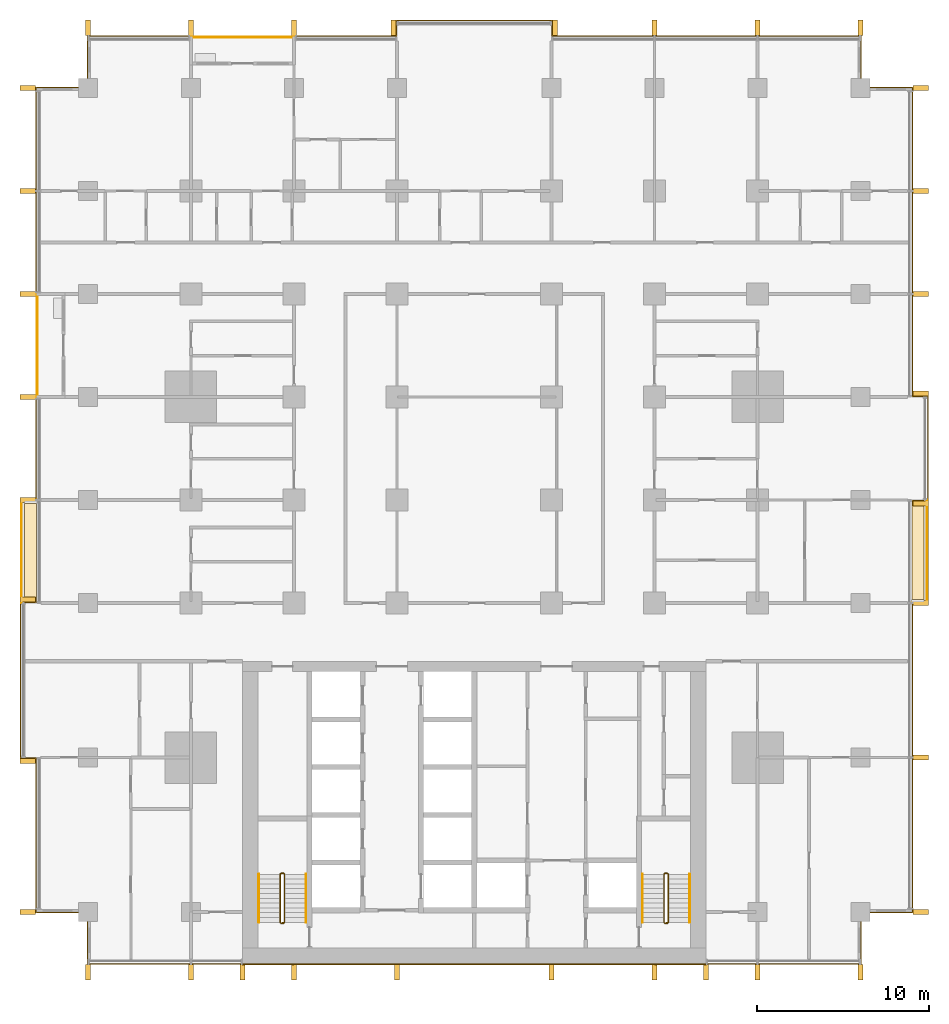
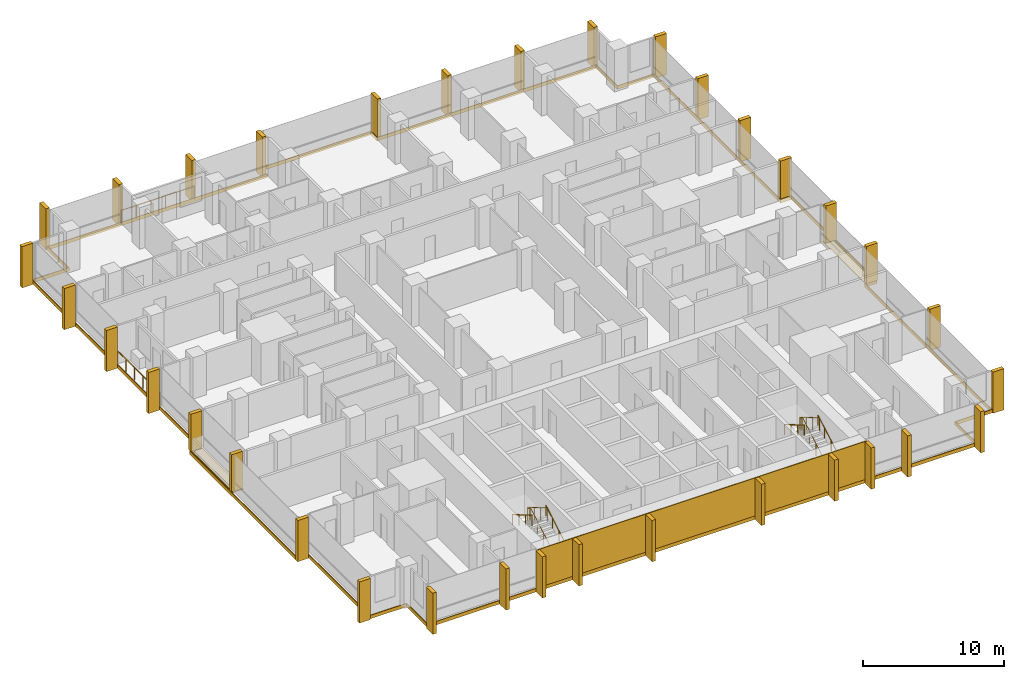
# One storey, part 17 of 17: 34 shading devices, 10 coverings, 8 railings.
"""IFC4 building model written with IfcOpenShell, lengths in metres."""

import ifcopenshell
import ifcopenshell.guid

model = None  # the IFC model being written
_history = None  # IfcOwnerHistory: only IFC2X3 demands one
_inside = {}  # id of a spatial element -> (the spatial element, [elements in it])
_under = {}  # id of a project, library or spatial element -> (it, [spatial elements below it])
_declared = {}  # id of a project -> (the project, [libraries it declares])
_typed = {}  # id of a type object -> (the type object, [elements of that type])
_made_of = {}  # id of a material, layer set ... -> (it, [elements and type objects made of it])


def new_model(schema):
    """Start an empty IFC model of exactly this schema.

    Asked for "IFC4X3", IfcOpenShell would pick the latest addendum, in which some entities
    have other attributes; the version numbers below select the first issue.
    IFC2X3 requires an IfcOwnerHistory on every rooted entity: one is made here for all.
    """
    global model, _history
    if schema == "IFC4X3":
        model = ifcopenshell.file(schema_version=(4, 3, 0, 0))
    else:
        model = ifcopenshell.file(schema=schema)
    _inside.clear()
    _under.clear()
    _declared.clear()
    _typed.clear()
    _made_of.clear()
    _history = None
    if model.schema == "IFC2X3":
        org = make("IfcOrganization", Name="unknown")
        user = make(
            "IfcPersonAndOrganization",
            ThePerson=make("IfcPerson", FamilyName="unknown"),
            TheOrganization=org,
        )
        app = make(
            "IfcApplication",
            ApplicationDeveloper=org,
            Version="unknown",
            ApplicationFullName="unknown",
            ApplicationIdentifier="unknown",
        )
        _history = make(
            "IfcOwnerHistory",
            OwningUser=user,
            OwningApplication=app,
            ChangeAction="ADDED",
            CreationDate=0,
        )
    return model


def make(cls, **values):
    """One entity of the class cls with the attributes given. An attribute that is None is left unset."""
    return model.create_entity(
        cls, **{name: value for name, value in values.items() if value is not None}
    )


def rooted(cls, **values):
    """An entity with a GlobalId (a new one), such as an element, a storey or a relation."""
    return make(cls, GlobalId=ifcopenshell.guid.new(), OwnerHistory=_history, **values)


def si_unit(unit_type, name, prefix=None):
    """IfcSIUnit, for example si_unit("LENGTHUNIT", "METRE", prefix="MILLI")."""
    return make("IfcSIUnit", UnitType=unit_type, Prefix=prefix, Name=name)


def assignment(units):
    """IfcUnitAssignment: the units of a project."""
    return None if units is None else make("IfcUnitAssignment", Units=units)


def point(xyz):
    """IfcCartesianPoint."""
    return None if xyz is None else make("IfcCartesianPoint", Coordinates=xyz)


def direction(xyz):
    """IfcDirection."""
    return None if xyz is None else make("IfcDirection", DirectionRatios=xyz)


def frame(location, z_axis=None, x_axis=None):
    """IfcAxis2Placement3D, a coordinate frame: its origin and axes. An axis left out is left unset."""
    return make(
        "IfcAxis2Placement3D",
        Location=point(location),
        Axis=direction(z_axis),
        RefDirection=direction(x_axis),
    )


def frame_2d(location, x_axis=None):
    """IfcAxis2Placement2D, a coordinate frame in the plane: its origin and x axis."""
    return make(
        "IfcAxis2Placement2D", Location=point(location), RefDirection=direction(x_axis)
    )


def origin():
    """The frame at (0, 0, 0) with its axes left unset."""
    return frame((0.0, 0.0, 0.0))


def origin_2d():
    """The frame at (0, 0) in the plane with its x axis left unset."""
    return frame_2d((0.0, 0.0))


def place(relative_to, where):
    """IfcLocalPlacement: puts the frame where relative to a parent placement (None: the world)."""
    return make(
        "IfcLocalPlacement", PlacementRelTo=relative_to, RelativePlacement=where
    )


def context(
    kind, dimensions, precision=None, world=None, true_north=None, identifier=None
):
    """IfcGeometricRepresentationContext, for example the 3D "Model" context."""
    return make(
        "IfcGeometricRepresentationContext",
        ContextIdentifier=identifier,
        ContextType=kind,
        CoordinateSpaceDimension=dimensions,
        Precision=precision,
        WorldCoordinateSystem=world,
        TrueNorth=true_north,
    )


def subcontext(parent, identifier, kind, view, scale=None):
    """IfcGeometricRepresentationSubContext, for example "Body" below "Model"."""
    return make(
        "IfcGeometricRepresentationSubContext",
        ContextIdentifier=identifier,
        ContextType=kind,
        ParentContext=parent,
        TargetScale=scale,
        TargetView=view,
    )


def project(units=None, contexts=None):
    """IfcProject with its units and contexts."""
    return rooted(
        "IfcProject",
        Name="project",
        RepresentationContexts=contexts,
        UnitsInContext=assignment(units),
    )


def spatial(cls, under=None, at=None, **own):
    """A site, building, storey or space (cls), placed at a placement, below another one or the project."""
    s = rooted(cls, ObjectPlacement=at, **own)
    if under is not None:
        _under.setdefault(under.id(), (under, []))[1].append(s)
    return s


def polyline(points):
    """IfcPolyline through the points."""
    return make("IfcPolyline", Points=[point(p) for p in points])


def profile(cls, at=None, kind="AREA", **sizes):
    """A parametric profile (cls). Its sizes go by their IFC names, for example OverallWidth=200.0."""
    return make(cls, ProfileType=kind, Position=at, **sizes)


def rectangle(**sizes):
    """IfcRectangleProfileDef."""
    return profile("IfcRectangleProfileDef", **sizes)


def circle(**sizes):
    """IfcCircleProfileDef."""
    return profile("IfcCircleProfileDef", **sizes)


def outline(outer, holes=None, kind="AREA"):
    """IfcArbitraryClosedProfileDef: a profile drawn as a closed curve; with holes, ...WithVoids."""
    if holes is None:
        return make("IfcArbitraryClosedProfileDef", ProfileType=kind, OuterCurve=outer)
    return make(
        "IfcArbitraryProfileDefWithVoids",
        ProfileType=kind,
        OuterCurve=outer,
        InnerCurves=holes,
    )


def extrude(swept, where, along, depth):
    """IfcExtrudedAreaSolid: the profile swept, set in the frame where, extruded along a direction by depth."""
    return make(
        "IfcExtrudedAreaSolid",
        SweptArea=swept,
        Position=where,
        ExtrudedDirection=direction(along),
        Depth=depth,
    )


def shape(context_of_items, identifier, shape_type, items):
    """IfcShapeRepresentation: the items that make up one representation, for example the "Body"."""
    return make(
        "IfcShapeRepresentation",
        ContextOfItems=context_of_items,
        RepresentationIdentifier=identifier,
        RepresentationType=shape_type,
        Items=items,
    )


def material(Name=None, Category=None):
    """IfcMaterial."""
    return make("IfcMaterial", Name=Name, Category=Category)


def layer(
    of_material, thickness, ventilated=None, Name=None, Category=None, Priority=None
):
    """IfcMaterialLayer: one layer of a wall or slab, of a material (None: an air gap)."""
    return make(
        "IfcMaterialLayer",
        Material=of_material,
        LayerThickness=thickness,
        IsVentilated=ventilated,
        Name=Name,
        Category=Category,
        Priority=Priority,
    )


def layer_set(layers, Name=None):
    """IfcMaterialLayerSet."""
    return make("IfcMaterialLayerSet", MaterialLayers=layers, LayerSetName=Name)


def made_of(thing, what):
    """Note that an element or type object is made of a material, layer set ...; save() writes the relation."""
    if what is not None:
        _made_of.setdefault(what.id(), (what, []))[1].append(thing)
    return thing


def type_object(cls, material=None, **own):
    """A type object (cls), such as IfcWallType, which elements share."""
    return made_of(rooted(cls, **own), material)


def element(
    cls,
    number,
    at=None,
    inside=None,
    cuts=None,
    type_object=None,
    material=None,
    context=None,
    identifier="Body",
    shape_type=None,
    held_by="IfcProductDefinitionShape",
    body=None,
    shapes=None,
    **own,
):
    """One element of the class cls, such as IfcWall. Its Tag is "e" and its number.

    at: its placement. inside: the storey or other place that contains it. cuts: it is an
    opening in that element (IfcRelVoidsElement). A single representation is given by context,
    identifier, shape_type and body (its items); several are given by shapes. held_by: the class
    of the entity that holds the representations. save() writes the other relations.
    """
    e = rooted(cls, Tag="e%d" % number, ObjectPlacement=at, **own)
    if body is not None:
        shapes = [shape(context, identifier, shape_type, body)]
    if shapes is not None:
        e.Representation = make(held_by, Representations=shapes)
    if inside is not None:
        _inside.setdefault(inside.id(), (inside, []))[1].append(e)
    if cuts is not None:
        rooted(
            "IfcRelVoidsElement", RelatingBuildingElement=cuts, RelatedOpeningElement=e
        )
    if type_object is not None:
        _typed.setdefault(type_object.id(), (type_object, []))[1].append(e)
    return made_of(e, material)


def aggregate(whole, parts):
    """IfcRelAggregates: a whole, such as a stair, and the parts it consists of."""
    return rooted("IfcRelAggregates", RelatingObject=whole, RelatedObjects=parts)


def save(model, path):
    """Write the relations noted so far, then the file.

    IfcRelAggregates (storeys below a building ...), IfcRelContainedInSpatialStructure (elements
    in a storey), IfcRelDefinesByType, IfcRelAssociatesMaterial and IfcRelDeclares: one each for
    every whole, place, type object, material and project.
    """
    for whole, parts in _under.values():
        aggregate(whole, parts)
    for where, things in _inside.values():
        rooted(
            "IfcRelContainedInSpatialStructure",
            RelatedElements=things,
            RelatingStructure=where,
        )
    for kind, things in _typed.values():
        rooted("IfcRelDefinesByType", RelatedObjects=things, RelatingType=kind)
    for what, things in _made_of.values():
        rooted("IfcRelAssociatesMaterial", RelatedObjects=things, RelatingMaterial=what)
    for by, libraries in _declared.values():
        rooted("IfcRelDeclares", RelatingContext=by, RelatedDefinitions=libraries)
    model.write(path)


model = new_model("IFC4")

# Units and contexts
model_context = context("Model", 3, precision=1e-05, world=origin(), true_north=direction((0.0, 1.0)))
body_context = subcontext(model_context, "Body", "Model", "MODEL_VIEW")
ifc_project = project(units=[si_unit("LENGTHUNIT", "METRE"), si_unit("AREAUNIT", "SQUARE_METRE"), si_unit("VOLUMEUNIT", "CUBIC_METRE"), si_unit("PLANEANGLEUNIT", "RADIAN"), si_unit("MASSUNIT", "GRAM", prefix="KILO")], contexts=[model_context])

# Site, building, storey
site_placement = place(None, origin())
site = spatial("IfcSite", under=ifc_project, at=site_placement, CompositionType="ELEMENT")
building_placement = place(site_placement, origin())
building = spatial("IfcBuilding", under=site, at=building_placement, Name="Finial Court Residences", CompositionType="ELEMENT")
storey_placement = place(building_placement, frame((0.0, 0.0, 61.300048828125)))
storey = spatial("IfcBuildingStorey", under=building, at=storey_placement, Name="L14", CompositionType="ELEMENT", Elevation=61.300048828125)

# Railings
ifc_material_1 = material(Name="Bronze anodised aluminium", Category="aluminium")
railing_type_1 = type_object("IfcRailingType", Name="Balcony guard 1100", PredefinedType="GUARDRAIL", material=ifc_material_1)
railing_1_placement = place(storey_placement, frame((-16.5, 28.449951171875, 0.0)))
element("IfcRailing", 1, at=railing_1_placement, inside=storey, type_object=railing_type_1, Name="E-L14-BALN2-R", PredefinedType="GUARDRAIL", context=body_context, shape_type="SweptSolid", body=[
    extrude(circle(Radius=0.02392578125, at=origin_2d()), frame((0.0, 0.0, 1.076171875), z_axis=(1.0, 0.0, 0.0), x_axis=(0.0, 1.0, 0.0)), (0.0, 0.0, 1.0), 6.0),
    extrude(circle(Radius=0.02099609375, at=origin_2d()), origin(), (0.0, 0.0, 1.0), 1.052001953125),
    extrude(circle(Radius=0.02099609375, at=origin_2d()), frame((1.199951171875, 0.0, 0.0)), (0.0, 0.0, 1.0), 1.052001953125),
    extrude(circle(Radius=0.02099609375, at=origin_2d()), frame((2.39990234375, 0.0, 0.0)), (0.0, 0.0, 1.0), 1.052001953125),
    extrude(circle(Radius=0.02099609375, at=origin_2d()), frame((3.60009765625, 0.0, 0.0)), (0.0, 0.0, 1.0), 1.052001953125),
    extrude(circle(Radius=0.02099609375, at=origin_2d()), frame((4.800048828125, 0.0, 0.0)), (0.0, 0.0, 1.0), 1.052001953125),
    extrude(circle(Radius=0.02099609375, at=origin_2d()), frame((6.0, 0.0, 0.0)), (0.0, 0.0, 1.0), 1.052001953125),
])
railing_2_placement = place(storey_placement, frame((-25.449951171875, 7.5, 0.0)))
element("IfcRailing", 2, at=railing_2_placement, inside=storey, type_object=railing_type_1, Name="E-L14-BALW5-R", PredefinedType="GUARDRAIL", context=body_context, shape_type="SweptSolid", body=[
    extrude(circle(Radius=0.02392578125, at=origin_2d()), frame((0.0, 0.0, 1.076171875), z_axis=(0.0, 1.0, 0.0), x_axis=(-1.0, 0.0, 0.0)), (0.0, 0.0, 1.0), 6.0),
    extrude(circle(Radius=0.02099609375, at=origin_2d()), origin(), (0.0, 0.0, 1.0), 1.052001953125),
    extrude(circle(Radius=0.02099609375, at=origin_2d()), frame((0.0, 1.199951171875, 0.0)), (0.0, 0.0, 1.0), 1.052001953125),
    extrude(circle(Radius=0.02099609375, at=origin_2d()), frame((0.0, 2.39990234375, 0.0)), (0.0, 0.0, 1.0), 1.052001953125),
    extrude(circle(Radius=0.02099609375, at=origin_2d()), frame((0.0, 3.60009765625, 0.0)), (0.0, 0.0, 1.0), 1.052001953125),
    extrude(circle(Radius=0.02099609375, at=origin_2d()), frame((0.0, 4.800048828125, 0.0)), (0.0, 0.0, 1.0), 1.052001953125),
    extrude(circle(Radius=0.02099609375, at=origin_2d()), frame((0.0, 6.0, 0.0)), (0.0, 0.0, 1.0), 1.052001953125),
])

# Coverings
ifc_material_2 = material(Name="Natural limestone", Category="masonry")
ifc_layer_1 = layer(ifc_material_2, 0.06005859375)
ifc_layer_set_1 = layer_set([ifc_layer_1], Name="Limestone cladding to the blind core face 60")
covering_type_1 = type_object("IfcCoveringType", Name="Limestone cladding to the blind core face 60", PredefinedType="CLADDING", material=ifc_layer_set_1)
covering_1_placement = place(storey_placement, origin())
element("IfcCovering", 3, at=covering_1_placement, inside=storey, type_object=covering_type_1, Name="E-L14-CLAD1", PredefinedType="CLADDING", context=body_context, shape_type="SweptSolid", body=[
    extrude(outline(polyline([(-10.5, -25.56005859375), (-10.5, -25.5), (-13.5, -25.5), (-13.5, -25.56005859375), (-10.5, -25.56005859375)])), origin(), (0.0, 0.0, 1.0), 3.300048828125),
])
covering_2_placement = place(storey_placement, origin())
element("IfcCovering", 4, at=covering_2_placement, inside=storey, type_object=covering_type_1, Name="E-L14-CLAD2", PredefinedType="CLADDING", context=body_context, shape_type="SweptSolid", body=[
    extrude(outline(polyline([(-4.5, -25.56005859375), (-4.5, -25.5), (-10.5, -25.5), (-10.5, -25.56005859375), (-4.5, -25.56005859375)])), origin(), (0.0, 0.0, 1.0), 3.300048828125),
])
covering_3_placement = place(storey_placement, origin())
element("IfcCovering", 5, at=covering_3_placement, inside=storey, type_object=covering_type_1, Name="E-L14-CLAD3", PredefinedType="CLADDING", context=body_context, shape_type="SweptSolid", body=[
    extrude(outline(polyline([(4.5, -25.56005859375), (4.5, -25.5), (-4.5, -25.5), (-4.5, -25.56005859375), (4.5, -25.56005859375)])), origin(), (0.0, 0.0, 1.0), 3.300048828125),
])
covering_4_placement = place(storey_placement, origin())
element("IfcCovering", 6, at=covering_4_placement, inside=storey, type_object=covering_type_1, Name="E-L14-CLAD4", PredefinedType="CLADDING", context=body_context, shape_type="SweptSolid", body=[
    extrude(outline(polyline([(10.5, -25.56005859375), (10.5, -25.5), (4.5, -25.5), (4.5, -25.56005859375), (10.5, -25.56005859375)])), origin(), (0.0, 0.0, 1.0), 3.300048828125),
])
covering_5_placement = place(storey_placement, origin())
element("IfcCovering", 7, at=covering_5_placement, inside=storey, type_object=covering_type_1, Name="E-L14-CLAD5", PredefinedType="CLADDING", context=body_context, shape_type="SweptSolid", body=[
    extrude(outline(polyline([(13.5, -25.56005859375), (13.5, -25.5), (10.5, -25.5), (10.5, -25.56005859375), (13.5, -25.56005859375)])), origin(), (0.0, 0.0, 1.0), 3.300048828125),
])

# Shading devices
shading_device_type = type_object("IfcShadingDeviceType", Name="Limestone fin 300 x 900", PredefinedType="USERDEFINED", material=ifc_material_2)
for number, where, z_axis, x_axis, name in (
    (8, (-22.5, 29.010009765625, -0.300048828125), (0.0, 0.0, 1.0), (1.0, 0.0, 0.0), "E-L14-FIN-N1"),
    (9, (-16.5, 29.010009765625, -0.300048828125), (0.0, 0.0, 1.0), (1.0, 0.0, 0.0), "E-L14-FIN-N2"),
    (10, (-10.5, 29.010009765625, -0.300048828125), (0.0, 0.0, 1.0), (1.0, 0.0, 0.0), "E-L14-FIN-N3"),
    (11, (-4.7099609375, 29.010009765625, -0.300048828125), (0.0, 0.0, 1.0), (1.0, 0.0, 0.0), "E-L14-FIN-N4"),
    (12, (4.7099609375, 29.010009765625, -0.300048828125), (0.0, 0.0, 1.0), (1.0, 0.0, 0.0), "E-L14-FIN-N5"),
    (13, (10.5, 29.010009765625, -0.300048828125), (0.0, 0.0, 1.0), (1.0, 0.0, 0.0), "E-L14-FIN-N6"),
    (14, (16.5, 29.010009765625, -0.300048828125), (0.0, 0.0, 1.0), (1.0, 0.0, 0.0), "E-L14-FIN-N7"),
    (15, (22.5, 29.010009765625, -0.300048828125), (0.0, 0.0, 1.0), (1.0, 0.0, 0.0), "E-L14-FIN-N8"),
):
    element("IfcShadingDevice", number, at=place(storey_placement, frame(where, z_axis=z_axis, x_axis=x_axis)), inside=storey, type_object=shading_device_type, Name=name, ObjectType="FIN", PredefinedType="USERDEFINED", context=body_context, shape_type="SweptSolid", body=[
        extrude(rectangle(XDim=0.300048828125, YDim=0.89990234375, at=origin_2d()), origin(), (0.0, 0.0, 1.0), 3.580078125),
    ])
for number, where, z_axis, x_axis, name in (
    (16, (26.010009765625, -22.5, -0.300048828125), (0.0, 0.0, 1.0), (1.0, 0.0, 0.0), "E-L14-FIN-E9"),
    (17, (26.010009765625, -13.5, -0.300048828125), (0.0, 0.0, 1.0), (1.0, 0.0, 0.0), "E-L14-FIN-E10"),
):
    element("IfcShadingDevice", number, at=place(storey_placement, frame(where, z_axis=z_axis, x_axis=x_axis)), inside=storey, type_object=shading_device_type, Name=name, ObjectType="FIN", PredefinedType="USERDEFINED", context=body_context, shape_type="SweptSolid", body=[
        extrude(rectangle(XDim=0.89990234375, YDim=0.300048828125, at=origin_2d()), origin(), (0.0, 0.0, 1.0), 3.580078125),
    ])
for number, where, z_axis, x_axis, name in (
    (18, (26.010009765625, -4.5, 0.0400390625), (0.0, 0.0, 1.0), (1.0, 0.0, 0.0), "E-L14-FIN-E11"),
    (19, (26.010009765625, 1.2900390625, 0.0400390625), (0.0, 0.0, 1.0), (1.0, 0.0, 0.0), "E-L14-FIN-E12"),
):
    element("IfcShadingDevice", number, at=place(storey_placement, frame(where, z_axis=z_axis, x_axis=x_axis)), inside=storey, type_object=shading_device_type, Name=name, ObjectType="FIN", PredefinedType="USERDEFINED", context=body_context, shape_type="SweptSolid", body=[
        extrude(rectangle(XDim=0.89990234375, YDim=0.300048828125, at=origin_2d()), origin(), (0.0, 0.0, 1.0), 3.239990234375),
    ])
for number, where, z_axis, x_axis, name in (
    (20, (26.010009765625, 7.7099609375, -0.300048828125), (0.0, 0.0, 1.0), (1.0, 0.0, 0.0), "E-L14-FIN-E13"),
    (21, (26.010009765625, 13.5, -0.300048828125), (0.0, 0.0, 1.0), (1.0, 0.0, 0.0), "E-L14-FIN-E14"),
    (22, (26.010009765625, 19.5, -0.300048828125), (0.0, 0.0, 1.0), (1.0, 0.0, 0.0), "E-L14-FIN-E15"),
    (23, (26.010009765625, 25.5, -0.300048828125), (0.0, 0.0, 1.0), (1.0, 0.0, 0.0), "E-L14-FIN-E16"),
):
    element("IfcShadingDevice", number, at=place(storey_placement, frame(where, z_axis=z_axis, x_axis=x_axis)), inside=storey, type_object=shading_device_type, Name=name, ObjectType="FIN", PredefinedType="USERDEFINED", context=body_context, shape_type="SweptSolid", body=[
        extrude(rectangle(XDim=0.89990234375, YDim=0.300048828125, at=origin_2d()), origin(), (0.0, 0.0, 1.0), 3.580078125),
    ])
for number, where, z_axis, x_axis, name in (
    (24, (-22.5, -26.010009765625, -0.300048828125), (0.0, 0.0, 1.0), (1.0, 0.0, 0.0), "E-L14-FIN-S17"),
    (25, (-16.5, -26.010009765625, -0.300048828125), (0.0, 0.0, 1.0), (1.0, 0.0, 0.0), "E-L14-FIN-S18"),
    (26, (-13.5, -26.010009765625, -0.300048828125), (0.0, 0.0, 1.0), (1.0, 0.0, 0.0), "E-L14-FIN-S19"),
    (27, (-10.5, -26.010009765625, -0.300048828125), (0.0, 0.0, 1.0), (1.0, 0.0, 0.0), "E-L14-FIN-S20"),
    (28, (-4.5, -26.010009765625, -0.300048828125), (0.0, 0.0, 1.0), (1.0, 0.0, 0.0), "E-L14-FIN-S21"),
    (29, (4.5, -26.010009765625, -0.300048828125), (0.0, 0.0, 1.0), (1.0, 0.0, 0.0), "E-L14-FIN-S22"),
    (30, (10.5, -26.010009765625, -0.300048828125), (0.0, 0.0, 1.0), (1.0, 0.0, 0.0), "E-L14-FIN-S23"),
    (31, (13.5, -26.010009765625, -0.300048828125), (0.0, 0.0, 1.0), (1.0, 0.0, 0.0), "E-L14-FIN-S24"),
    (32, (16.5, -26.010009765625, -0.300048828125), (0.0, 0.0, 1.0), (1.0, 0.0, 0.0), "E-L14-FIN-S25"),
    (33, (22.5, -26.010009765625, -0.300048828125), (0.0, 0.0, 1.0), (1.0, 0.0, 0.0), "E-L14-FIN-S26"),
):
    element("IfcShadingDevice", number, at=place(storey_placement, frame(where, z_axis=z_axis, x_axis=x_axis)), inside=storey, type_object=shading_device_type, Name=name, ObjectType="FIN", PredefinedType="USERDEFINED", context=body_context, shape_type="SweptSolid", body=[
        extrude(rectangle(XDim=0.300048828125, YDim=0.89990234375, at=origin_2d()), origin(), (0.0, 0.0, 1.0), 3.580078125),
    ])
for number, where, z_axis, x_axis, name in (
    (34, (-26.010009765625, -22.5, -0.300048828125), (0.0, 0.0, 1.0), (1.0, 0.0, 0.0), "E-L14-FIN-W27"),
    (35, (-26.010009765625, -13.7099609375, -0.300048828125), (0.0, 0.0, 1.0), (1.0, 0.0, 0.0), "E-L14-FIN-W28"),
):
    element("IfcShadingDevice", number, at=place(storey_placement, frame(where, z_axis=z_axis, x_axis=x_axis)), inside=storey, type_object=shading_device_type, Name=name, ObjectType="FIN", PredefinedType="USERDEFINED", context=body_context, shape_type="SweptSolid", body=[
        extrude(rectangle(XDim=0.89990234375, YDim=0.300048828125, at=origin_2d()), origin(), (0.0, 0.0, 1.0), 3.580078125),
    ])
for number, where, z_axis, x_axis, name in (
    (36, (-26.010009765625, -4.2900390625, 0.0400390625), (0.0, 0.0, 1.0), (1.0, 0.0, 0.0), "E-L14-FIN-W29"),
    (37, (-26.010009765625, 1.5, 0.0400390625), (0.0, 0.0, 1.0), (1.0, 0.0, 0.0), "E-L14-FIN-W30"),
):
    element("IfcShadingDevice", number, at=place(storey_placement, frame(where, z_axis=z_axis, x_axis=x_axis)), inside=storey, type_object=shading_device_type, Name=name, ObjectType="FIN", PredefinedType="USERDEFINED", context=body_context, shape_type="SweptSolid", body=[
        extrude(rectangle(XDim=0.89990234375, YDim=0.300048828125, at=origin_2d()), origin(), (0.0, 0.0, 1.0), 3.239990234375),
    ])
for number, where, z_axis, x_axis, name in (
    (38, (-26.010009765625, 7.5, -0.300048828125), (0.0, 0.0, 1.0), (1.0, 0.0, 0.0), "E-L14-FIN-W31"),
    (39, (-26.010009765625, 13.5, -0.300048828125), (0.0, 0.0, 1.0), (1.0, 0.0, 0.0), "E-L14-FIN-W32"),
    (40, (-26.010009765625, 19.5, -0.300048828125), (0.0, 0.0, 1.0), (1.0, 0.0, 0.0), "E-L14-FIN-W33"),
    (41, (-26.010009765625, 25.5, -0.300048828125), (0.0, 0.0, 1.0), (1.0, 0.0, 0.0), "E-L14-FIN-W34"),
):
    element("IfcShadingDevice", number, at=place(storey_placement, frame(where, z_axis=z_axis, x_axis=x_axis)), inside=storey, type_object=shading_device_type, Name=name, ObjectType="FIN", PredefinedType="USERDEFINED", context=body_context, shape_type="SweptSolid", body=[
        extrude(rectangle(XDim=0.89990234375, YDim=0.300048828125, at=origin_2d()), origin(), (0.0, 0.0, 1.0), 3.580078125),
    ])

# Coverings
ifc_material_3 = material(Name="Pale limestone", Category="masonry")
ifc_layer_2 = layer(ifc_material_3, 0.06005859375)
ifc_layer_set_2 = layer_set([ifc_layer_2], Name="Pale limestone slab-edge band 60")
covering_type_2 = type_object("IfcCoveringType", Name="Pale limestone slab-edge band 60", PredefinedType="CLADDING", material=ifc_layer_set_2)
covering_6_placement = place(storey_placement, frame((0.0, 0.0, -0.300048828125)))
element("IfcCovering", 42, at=covering_6_placement, inside=storey, type_object=covering_type_2, Name="E-L14-BAND1", PredefinedType="CLADDING", context=body_context, shape_type="SweptSolid", body=[
    extrude(outline(polyline([(-25.56005859375, 1.56005859375), (-25.56005859375, 25.56005859375), (-22.56005859375, 25.56005859375), (-22.56005859375, 28.56005859375), (-4.56005859375, 28.56005859375), (-4.56005859375, 29.4599609375), (4.56005859375, 29.4599609375), (4.56005859375, 28.56005859375), (22.56005859375, 28.56005859375), (22.56005859375, 25.56005859375), (25.56005859375, 25.56005859375), (25.56005859375, 7.56005859375), (26.4599609375, 7.56005859375), (26.4599609375, -4.56005859375), (25.56005859375, -4.56005859375), (25.56005859375, -22.56005859375), (22.56005859375, -22.56005859375), (22.56005859375, -25.56005859375), (-22.56005859375, -25.56005859375), (-22.56005859375, -22.56005859375), (-25.56005859375, -22.56005859375), (-25.56005859375, -13.56005859375), (-26.4599609375, -13.56005859375), (-26.4599609375, 1.56005859375), (-25.56005859375, 1.56005859375)]), holes=[polyline([(-26.39990234375, -4.5), (-26.39990234375, -13.5), (-25.5, -13.5), (-25.5, -22.5), (-22.5, -22.5), (-22.5, -25.5), (22.5, -25.5), (22.5, -22.5), (25.5, -22.5), (25.5, -4.5), (26.39990234375, -4.5), (26.39990234375, 1.5), (26.39990234375, 7.5), (25.5, 7.5), (25.5, 25.5), (22.5, 25.5), (22.5, 28.5), (4.5, 28.5), (4.5, 29.39990234375), (-4.5, 29.39990234375), (-4.5, 28.5), (-10.5, 28.5), (-16.5, 28.5), (-22.5, 28.5), (-22.5, 25.5), (-25.5, 25.5), (-25.5, 13.5), (-25.5, 7.5), (-25.5, 1.5), (-26.39990234375, 1.5), (-26.39990234375, -4.5)])]), origin(), (0.0, 0.0, 1.0), 0.300048828125),
])
ifc_material_4 = material(Name="Bitumen membrane")
ifc_layer_3 = layer(ifc_material_4, 0.0400390625)
ifc_layer_set_3 = layer_set([ifc_layer_3], Name="Push box roofing, bitumen membrane 40")
covering_type_3 = type_object("IfcCoveringType", Name="Push box roofing, bitumen membrane 40", PredefinedType="ROOFING", material=ifc_layer_set_3)
covering_7_placement = place(storey_placement, origin())
element("IfcCovering", 43, at=covering_7_placement, inside=storey, type_object=covering_type_3, Name="E-L14-LED1", PredefinedType="ROOFING", context=body_context, shape_type="SweptSolid", body=[
    extrude(outline(polyline([(25.5, -4.449951171875), (26.199951171875, -4.449951171875), (26.35009765625, -4.449951171875), (26.35009765625, 1.5), (26.39990234375, 1.5), (26.39990234375, -4.5), (25.5, -4.5), (25.5, -4.449951171875)])), origin(), (0.0, 0.0, 1.0), 0.0400390625),
])
covering_8_placement = place(storey_placement, origin())
element("IfcCovering", 44, at=covering_8_placement, inside=storey, type_object=covering_type_3, Name="E-L14-LED1b", PredefinedType="ROOFING", context=body_context, shape_type="SweptSolid", body=[
    extrude(outline(polyline([(25.5, 1.5), (26.199951171875, 1.5), (26.199951171875, -4.300048828125), (25.5, -4.300048828125), (25.5, 1.5)])), origin(), (0.0, 0.0, 1.0), 0.0400390625),
])
covering_9_placement = place(storey_placement, origin())
element("IfcCovering", 45, at=covering_9_placement, inside=storey, type_object=covering_type_3, Name="E-L14-LED2", PredefinedType="ROOFING", context=body_context, shape_type="SweptSolid", body=[
    extrude(outline(polyline([(-25.5, 1.449951171875), (-26.199951171875, 1.449951171875), (-26.35009765625, 1.449951171875), (-26.35009765625, -4.5), (-26.39990234375, -4.5), (-26.39990234375, 1.5), (-25.5, 1.5), (-25.5, 1.449951171875)])), origin(), (0.0, 0.0, 1.0), 0.0400390625),
])
covering_10_placement = place(storey_placement, origin())
element("IfcCovering", 46, at=covering_10_placement, inside=storey, type_object=covering_type_3, Name="E-L14-LED2b", PredefinedType="ROOFING", context=body_context, shape_type="SweptSolid", body=[
    extrude(outline(polyline([(-25.5, -4.5), (-26.199951171875, -4.5), (-26.199951171875, 1.300048828125), (-25.5, 1.300048828125), (-25.5, -4.5)])), origin(), (0.0, 0.0, 1.0), 0.0400390625),
])

# Railings
ifc_material_5 = material(Name="Stainless steel railing", Category="steel")
railing_type_2 = type_object("IfcRailingType", Name="Stair guard 1100", PredefinedType="GUARDRAIL", material=ifc_material_5)
railing_3_placement = place(storey_placement, frame((-11.10009765625, -23.14990234375, 0.0)))
element("IfcRailing", 47, at=railing_3_placement, inside=storey, type_object=railing_type_2, Name="L14 ST-1 stair guard 1", PredefinedType="GUARDRAIL", context=body_context, shape_type="SweptSolid", body=[
    extrude(circle(Radius=0.02392578125, at=origin_2d()), frame((0.0, 0.0, 1.076171875), z_axis=(-1.0, 0.0, 0.0), x_axis=(0.0, -1.0, 0.0)), (0.0, 0.0, 1.0), 0.14990234375),
    extrude(circle(Radius=0.02392578125, at=origin_2d()), frame((-0.14990234375, 0.0, 1.076171875), z_axis=(0.760004195007, 0.189305074214, 0.621737253547), x_axis=(-0.241699205484, 0.970351222016, 0.0)), (0.0, 0.0, 1.0), 0.26318359375),
    extrude(circle(Radius=0.02392578125, at=origin_2d()), frame((0.050048828125, 0.0498046875, 1.23974609375), z_axis=(0.0, 0.863360870873, 0.504586966384), x_axis=(-1.0, 0.0, 0.0)), (0.0, 0.0, 1.0), 3.2431640625),
    extrude(circle(Radius=0.02392578125, at=origin_2d()), frame((0.050048828125, 2.849853515625, 2.8759765625), z_axis=(-0.707106781187, 0.707106781187, 0.0), x_axis=(-0.707106781187, -0.707106781187, 0.0)), (0.0, 0.0, 1.0), 0.07080078125),
    extrude(circle(Radius=0.02392578125, at=origin_2d()), frame((0.0, 2.89990234375, 2.8759765625), z_axis=(-1.0, 0.0, 0.0), x_axis=(0.0, -1.0, 0.0)), (0.0, 0.0, 1.0), 0.14990234375),
    extrude(circle(Radius=0.02392578125, at=origin_2d()), frame((-0.14990234375, 2.89990234375, 2.8759765625), z_axis=(-0.280808744504, -0.280808744504, 0.917765164963), x_axis=(0.707106781187, -0.707106781187, 0.0)), (0.0, 0.0, 1.0), 0.17822265625),
    extrude(circle(Radius=0.02392578125, at=origin_2d()), frame((-0.199951171875, 2.849853515625, 3.03955078125), z_axis=(0.0, -0.863393664356, 0.504530851732), x_axis=(1.0, 0.0, 0.0)), (0.0, 0.0, 1.0), 3.2431640625),
    extrude(circle(Radius=0.02099609375, at=origin_2d()), origin(), (0.0, 0.0, 1.0), 1.052001953125),
    extrude(circle(Radius=0.02099609375, at=origin_2d()), frame((-0.14990234375, 0.0, 0.0)), (0.0, 0.0, 1.0), 1.052001953125),
    extrude(circle(Radius=0.02099609375, at=origin_2d()), frame((0.050048828125, 0.0498046875, 0.16357421875)), (0.0, 0.0, 1.0), 1.052001953125),
    extrude(circle(Radius=0.02099609375, at=origin_2d()), frame((0.050048828125, 0.983154296875, 0.708984375)), (0.0, 0.0, 1.0), 1.052001953125),
    extrude(circle(Radius=0.02099609375, at=origin_2d()), frame((0.050048828125, 1.91650390625, 1.254638671875)), (0.0, 0.0, 1.0), 1.052001953125),
    extrude(circle(Radius=0.02099609375, at=origin_2d()), frame((0.050048828125, 2.849853515625, 1.800048828125)), (0.0, 0.0, 1.0), 1.052001953125),
    extrude(circle(Radius=0.02099609375, at=origin_2d()), frame((0.0, 2.89990234375, 1.800048828125)), (0.0, 0.0, 1.0), 1.052001953125),
    extrude(circle(Radius=0.02099609375, at=origin_2d()), frame((-0.14990234375, 2.89990234375, 1.800048828125)), (0.0, 0.0, 1.0), 1.052001953125),
    extrude(circle(Radius=0.02099609375, at=origin_2d()), frame((-0.199951171875, 2.849853515625, 1.963623046875)), (0.0, 0.0, 1.0), 1.052001953125),
    extrude(circle(Radius=0.02099609375, at=origin_2d()), frame((-0.199951171875, 1.91650390625, 2.509033203125)), (0.0, 0.0, 1.0), 1.052001953125),
    extrude(circle(Radius=0.02099609375, at=origin_2d()), frame((-0.199951171875, 0.983154296875, 3.054443359375)), (0.0, 0.0, 1.0), 1.052001953125),
    extrude(circle(Radius=0.02099609375, at=origin_2d()), frame((-0.199951171875, 0.0498046875, 3.599853515625)), (0.0, 0.0, 1.0), 1.052001953125),
])
railing_4_placement = place(storey_placement, frame((11.25, -23.14990234375, 0.0)))
element("IfcRailing", 48, at=railing_4_placement, inside=storey, type_object=railing_type_2, Name="L14 ST-2 stair guard 1", PredefinedType="GUARDRAIL", context=body_context, shape_type="SweptSolid", body=[
    extrude(circle(Radius=0.02392578125, at=origin_2d()), frame((0.0, 0.0, 1.076171875), z_axis=(-1.0, 0.0, 0.0), x_axis=(0.0, -1.0, 0.0)), (0.0, 0.0, 1.0), 0.14990234375),
    extrude(circle(Radius=0.02392578125, at=origin_2d()), frame((-0.14990234375, 0.0, 1.076171875), z_axis=(0.760004195007, 0.189305074214, 0.621737253547), x_axis=(-0.241699205484, 0.970351222016, 0.0)), (0.0, 0.0, 1.0), 0.26318359375),
    extrude(circle(Radius=0.02392578125, at=origin_2d()), frame((0.050048828125, 0.0498046875, 1.23974609375), z_axis=(0.0, 0.863360870873, 0.504586966384), x_axis=(-1.0, 0.0, 0.0)), (0.0, 0.0, 1.0), 3.2431640625),
    extrude(circle(Radius=0.02392578125, at=origin_2d()), frame((0.050048828125, 2.849853515625, 2.8759765625), z_axis=(-0.707106781187, 0.707106781187, 0.0), x_axis=(-0.707106781187, -0.707106781187, 0.0)), (0.0, 0.0, 1.0), 0.07080078125),
    extrude(circle(Radius=0.02392578125, at=origin_2d()), frame((0.0, 2.89990234375, 2.8759765625), z_axis=(-1.0, 0.0, 0.0), x_axis=(0.0, -1.0, 0.0)), (0.0, 0.0, 1.0), 0.14990234375),
    extrude(circle(Radius=0.02392578125, at=origin_2d()), frame((-0.14990234375, 2.89990234375, 2.8759765625), z_axis=(-0.280808744504, -0.280808744504, 0.917765164963), x_axis=(0.707106781187, -0.707106781187, 0.0)), (0.0, 0.0, 1.0), 0.17822265625),
    extrude(circle(Radius=0.02392578125, at=origin_2d()), frame((-0.199951171875, 2.849853515625, 3.03955078125), z_axis=(0.0, -0.863393664356, 0.504530851732), x_axis=(1.0, 0.0, 0.0)), (0.0, 0.0, 1.0), 3.2431640625),
    extrude(circle(Radius=0.02099609375, at=origin_2d()), origin(), (0.0, 0.0, 1.0), 1.052001953125),
    extrude(circle(Radius=0.02099609375, at=origin_2d()), frame((-0.14990234375, 0.0, 0.0)), (0.0, 0.0, 1.0), 1.052001953125),
    extrude(circle(Radius=0.02099609375, at=origin_2d()), frame((0.050048828125, 0.0498046875, 0.16357421875)), (0.0, 0.0, 1.0), 1.052001953125),
    extrude(circle(Radius=0.02099609375, at=origin_2d()), frame((0.050048828125, 0.983154296875, 0.708984375)), (0.0, 0.0, 1.0), 1.052001953125),
    extrude(circle(Radius=0.02099609375, at=origin_2d()), frame((0.050048828125, 1.91650390625, 1.254638671875)), (0.0, 0.0, 1.0), 1.052001953125),
    extrude(circle(Radius=0.02099609375, at=origin_2d()), frame((0.050048828125, 2.849853515625, 1.800048828125)), (0.0, 0.0, 1.0), 1.052001953125),
    extrude(circle(Radius=0.02099609375, at=origin_2d()), frame((0.0, 2.89990234375, 1.800048828125)), (0.0, 0.0, 1.0), 1.052001953125),
    extrude(circle(Radius=0.02099609375, at=origin_2d()), frame((-0.14990234375, 2.89990234375, 1.800048828125)), (0.0, 0.0, 1.0), 1.052001953125),
    extrude(circle(Radius=0.02099609375, at=origin_2d()), frame((-0.199951171875, 2.849853515625, 1.963623046875)), (0.0, 0.0, 1.0), 1.052001953125),
    extrude(circle(Radius=0.02099609375, at=origin_2d()), frame((-0.199951171875, 1.91650390625, 2.509033203125)), (0.0, 0.0, 1.0), 1.052001953125),
    extrude(circle(Radius=0.02099609375, at=origin_2d()), frame((-0.199951171875, 0.983154296875, 3.054443359375)), (0.0, 0.0, 1.0), 1.052001953125),
    extrude(circle(Radius=0.02099609375, at=origin_2d()), frame((-0.199951171875, 0.0498046875, 3.599853515625)), (0.0, 0.0, 1.0), 1.052001953125),
])
railing_type_3 = type_object("IfcRailingType", Name="Stair handrail 900", PredefinedType="HANDRAIL", material=ifc_material_5)
railing_5_placement = place(storey_placement, frame((-9.800048828125, -23.10009765625, 0.16357421875)))
element("IfcRailing", 49, at=railing_5_placement, inside=storey, type_object=railing_type_3, Name="L14 ST-1 stair handrail 1", PredefinedType="HANDRAIL", context=body_context, shape_type="SweptSolid", body=[
    extrude(circle(Radius=0.02392578125, at=origin_2d()), frame((0.0, 0.0, 0.8759765625), z_axis=(0.0, 0.863360870873, 0.504586966384), x_axis=(-1.0, 0.0, 0.0)), (0.0, 0.0, 1.0), 3.2431640625),
    extrude(circle(Radius=0.02099609375, at=origin_2d()), origin(), (0.0, 0.0, 1.0), 0.851806640625),
    extrude(circle(Radius=0.02099609375, at=origin_2d()), frame((0.0, 0.933349609375, 0.54541015625)), (0.0, 0.0, 1.0), 0.851806640625),
    extrude(circle(Radius=0.02099609375, at=origin_2d()), frame((0.0, 1.86669921875, 1.091064453125)), (0.0, 0.0, 1.0), 0.851806640625),
    extrude(circle(Radius=0.02099609375, at=origin_2d()), frame((0.0, 2.800048828125, 1.636474609375)), (0.0, 0.0, 1.0), 0.851806640625),
])
railing_6_placement = place(storey_placement, frame((-12.550048828125, -20.300048828125, 1.963623046875)))
element("IfcRailing", 50, at=railing_6_placement, inside=storey, type_object=railing_type_3, Name="L14 ST-1 stair handrail 2", PredefinedType="HANDRAIL", context=body_context, shape_type="SweptSolid", body=[
    extrude(circle(Radius=0.02392578125, at=origin_2d()), frame((0.0, 0.0, 0.8759765625), z_axis=(0.0, -0.863393664356, 0.504530851732), x_axis=(1.0, 0.0, 0.0)), (0.0, 0.0, 1.0), 3.2431640625),
    extrude(circle(Radius=0.02099609375, at=origin_2d()), origin(), (0.0, 0.0, 1.0), 0.851806640625),
    extrude(circle(Radius=0.02099609375, at=origin_2d()), frame((0.0, -0.933349609375, 0.54541015625)), (0.0, 0.0, 1.0), 0.851806640625),
    extrude(circle(Radius=0.02099609375, at=origin_2d()), frame((0.0, -1.86669921875, 1.0908203125)), (0.0, 0.0, 1.0), 0.851806640625),
    extrude(circle(Radius=0.02099609375, at=origin_2d()), frame((0.0, -2.800048828125, 1.63623046875)), (0.0, 0.0, 1.0), 0.851806640625),
])
railing_7_placement = place(storey_placement, frame((12.550048828125, -23.10009765625, 0.16357421875)))
element("IfcRailing", 51, at=railing_7_placement, inside=storey, type_object=railing_type_3, Name="L14 ST-2 stair handrail 1", PredefinedType="HANDRAIL", context=body_context, shape_type="SweptSolid", body=[
    extrude(circle(Radius=0.02392578125, at=origin_2d()), frame((0.0, 0.0, 0.8759765625), z_axis=(0.0, 0.863360870873, 0.504586966384), x_axis=(-1.0, 0.0, 0.0)), (0.0, 0.0, 1.0), 3.2431640625),
    extrude(circle(Radius=0.02099609375, at=origin_2d()), origin(), (0.0, 0.0, 1.0), 0.851806640625),
    extrude(circle(Radius=0.02099609375, at=origin_2d()), frame((0.0, 0.933349609375, 0.54541015625)), (0.0, 0.0, 1.0), 0.851806640625),
    extrude(circle(Radius=0.02099609375, at=origin_2d()), frame((0.0, 1.86669921875, 1.091064453125)), (0.0, 0.0, 1.0), 0.851806640625),
    extrude(circle(Radius=0.02099609375, at=origin_2d()), frame((0.0, 2.800048828125, 1.636474609375)), (0.0, 0.0, 1.0), 0.851806640625),
])
railing_8_placement = place(storey_placement, frame((9.800048828125, -20.300048828125, 1.963623046875)))
element("IfcRailing", 52, at=railing_8_placement, inside=storey, type_object=railing_type_3, Name="L14 ST-2 stair handrail 2", PredefinedType="HANDRAIL", context=body_context, shape_type="SweptSolid", body=[
    extrude(circle(Radius=0.02392578125, at=origin_2d()), frame((0.0, 0.0, 0.8759765625), z_axis=(0.0, -0.863393664356, 0.504530851732), x_axis=(1.0, 0.0, 0.0)), (0.0, 0.0, 1.0), 3.2431640625),
    extrude(circle(Radius=0.02099609375, at=origin_2d()), origin(), (0.0, 0.0, 1.0), 0.851806640625),
    extrude(circle(Radius=0.02099609375, at=origin_2d()), frame((0.0, -0.933349609375, 0.54541015625)), (0.0, 0.0, 1.0), 0.851806640625),
    extrude(circle(Radius=0.02099609375, at=origin_2d()), frame((0.0, -1.86669921875, 1.0908203125)), (0.0, 0.0, 1.0), 0.851806640625),
    extrude(circle(Radius=0.02099609375, at=origin_2d()), frame((0.0, -2.800048828125, 1.63623046875)), (0.0, 0.0, 1.0), 0.851806640625),
])

save(model, "model.ifc")
